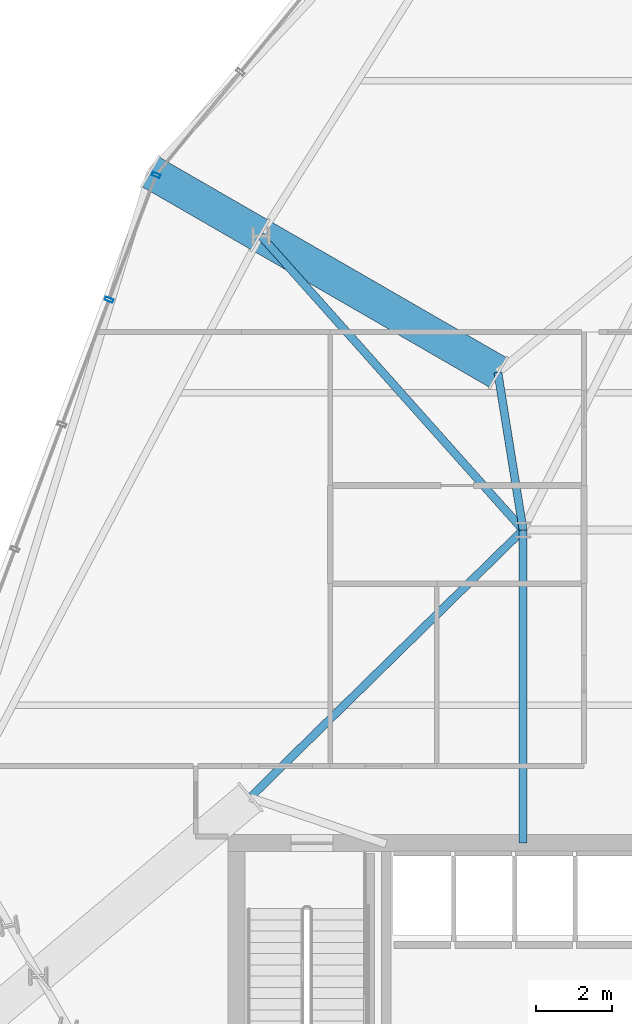
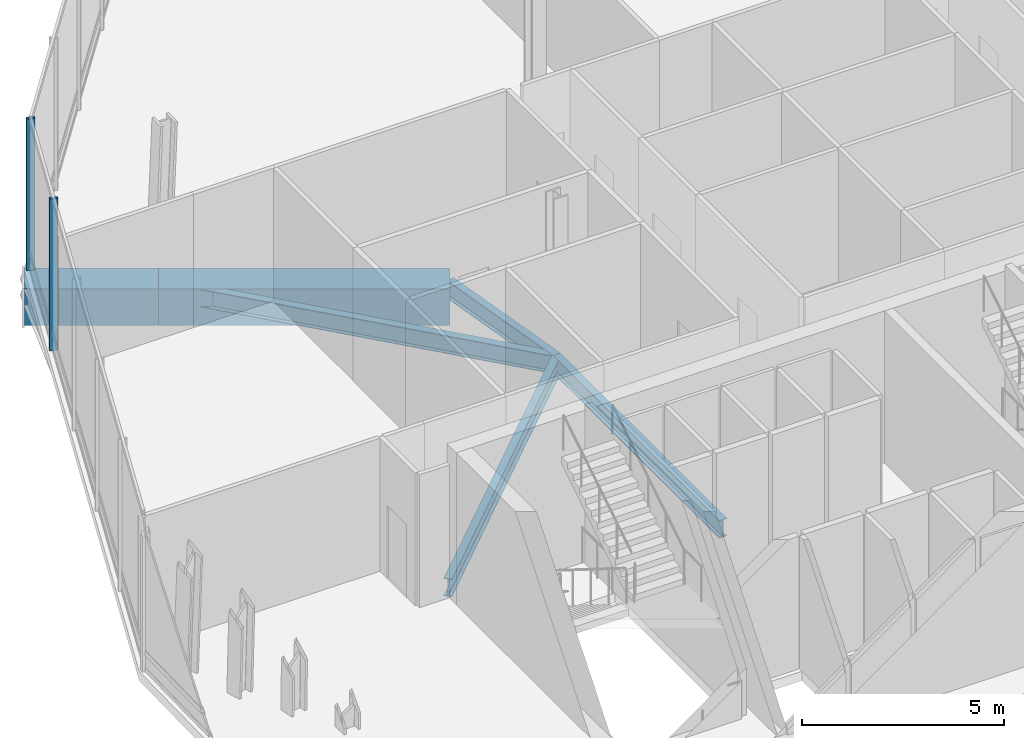
# One storey, part 7 of 26: 6 beams, 2 members, 1 element without a shape of its own.
"""IFC4 building model written with IfcOpenShell, lengths in metres."""

from ifc_helpers import new_model, si_unit, direction, frame, origin, origin_2d, place, context, subcontext, project, spatial, hollow_rectangle, i_section, extrude, material, layer, layer_set, material_profile, profile_set, type_object, element, aggregate, save


model = new_model("IFC4")

# Units and contexts
model_context = context("Model", 3, precision=1e-05, world=origin(), true_north=direction((0.0, 1.0)))
body_context = subcontext(model_context, "Body", "Model", "MODEL_VIEW")
ifc_project = project(units=[si_unit("LENGTHUNIT", "METRE"), si_unit("AREAUNIT", "SQUARE_METRE"), si_unit("VOLUMEUNIT", "CUBIC_METRE"), si_unit("PLANEANGLEUNIT", "RADIAN"), si_unit("MASSUNIT", "GRAM", prefix="KILO")], contexts=[model_context])

# Site, building, storey
site_placement = place(None, origin())
site = spatial("IfcSite", under=ifc_project, at=site_placement, CompositionType="ELEMENT")
building_placement = place(site_placement, origin())
building = spatial("IfcBuilding", under=site, at=building_placement, Name="Ndaravel Arena Tower", CompositionType="ELEMENT")
storey_placement = place(building_placement, frame((0.0, 0.0, 122.199951171875)))
storey = spatial("IfcBuildingStorey", under=building, at=storey_placement, Name="L28", CompositionType="ELEMENT", Elevation=122.199951171875)

# Beams
ifc_material_1 = material(Name="Steel S355", Category="steel")
ifc_material_profile_1 = material_profile(ifc_material_1, i_section(OverallWidth=0.210693359375, OverallDepth=0.53955078125, WebThickness=0.01171875, FlangeThickness=0.018798828125, FilletRadius=0.0126953125, at=origin_2d()), Name="UB 533x210x109")
ifc_profile_set_1 = profile_set([ifc_material_profile_1], Name="Steel S355")
beam_type_1 = type_object("IfcBeamType", Name="BM-GIRD-UB533", PredefinedType="BEAM", material=ifc_profile_set_1)
beam_1_placement = place(storey_placement, frame((27.3017578125, 30.938232421875, -0.5498046875), z_axis=(0.665425873653, -0.746463935279, 0.0), x_axis=(0.746463935279, 0.665425873653, 0.0)))
element("IfcBeam", 1, at=beam_1_placement, inside=storey, type_object=beam_type_1, Name="L28 Radial Floor Girder FG-19", PredefinedType="BEAM", context=body_context, shape_type="SweptSolid", body=[
    extrude(i_section(OverallWidth=0.210693359375, OverallDepth=0.53955078125, WebThickness=0.01171875, FlangeThickness=0.018798828125, FilletRadius=0.0126953125, at=origin_2d()), origin(), (0.0, 0.0, 1.0), 10.36669921875),
])
beam_2_placement = place(storey_placement, frame((34.199951171875, 14.97998046875, -0.5498046875), z_axis=(0.0, 1.0, 0.0), x_axis=(-1.0, 0.0, 0.0)))
element("IfcBeam", 2, at=beam_2_placement, inside=storey, type_object=beam_type_1, Name="L28 Spine Link Girder SLG-01", PredefinedType="BEAM", context=body_context, shape_type="SweptSolid", body=[
    extrude(i_section(OverallWidth=0.210693359375, OverallDepth=0.53955078125, WebThickness=0.01171875, FlangeThickness=0.018798828125, FilletRadius=0.0126953125, at=origin_2d()), origin(), (0.0, 0.0, 1.0), 8.219970703125),
])
beam_3_placement = place(storey_placement, frame((27.028076171875, 16.16943359375, -0.5498046875), z_axis=(0.714109294942, 0.700034224076, 0.0), x_axis=(-0.700034224076, 0.714109294942, 0.0)))
element("IfcBeam", 3, at=beam_3_placement, inside=storey, type_object=beam_type_1, Name="L28 Star Backspan Anchor Tie SAT2-1", PredefinedType="BEAM", context=body_context, shape_type="SweptSolid", body=[
    extrude(i_section(OverallWidth=0.210693359375, OverallDepth=0.53955078125, WebThickness=0.01171875, FlangeThickness=0.018798828125, FilletRadius=0.0126953125, at=origin_2d()), origin(), (0.0, 0.0, 1.0), 10.043212890625),
])
beam_4_placement = place(storey_placement, frame((34.199951171875, 23.199951171875, -0.5498046875), z_axis=(-0.158151802814, 0.987414810131, 0.0), x_axis=(-0.987414810131, -0.158151802814, 0.0)))
element("IfcBeam", 4, at=beam_4_placement, inside=storey, type_object=beam_type_1, Name="L28 Star Backspan Anchor Tie SAT1-6", PredefinedType="BEAM", context=body_context, shape_type="SweptSolid", body=[
    extrude(i_section(OverallWidth=0.210693359375, OverallDepth=0.53955078125, WebThickness=0.01171875, FlangeThickness=0.018798828125, FilletRadius=0.0126953125, at=origin_2d()), origin(), (0.0, 0.0, 1.0), 4.191162109375),
])
ifc_material_2 = material(Name="Steel S460", Category="steel")
ifc_material_profile_2 = material_profile(ifc_material_2, hollow_rectangle(XDim=0.89990234375, YDim=1.10009765625, WallThickness=0.06494140625, at=origin_2d()), Name="BOX 1100x900x65")
ifc_profile_set_2 = profile_set([ifc_material_profile_2], Name="Steel S460")
beam_type_2 = type_object("IfcBeamType", Name="BM-STAR-BOX1100", PredefinedType="BEAM", material=ifc_profile_set_2)
beam_5_placement = place(storey_placement, frame((33.537109375, 27.33837890625, -0.829833984375), z_axis=(-0.866033125095, 0.499986626058, 0.0), x_axis=(-0.499986626058, -0.866033125095, 0.0)))
element("IfcBeam", 5, at=beam_5_placement, inside=storey, type_object=beam_type_2, Name="L28 Star Cantilever Backspan Girder SBG-6", PredefinedType="BEAM", context=body_context, shape_type="SweptSolid", body=[
    extrude(hollow_rectangle(XDim=0.89990234375, YDim=1.10009765625, WallThickness=0.06494140625, at=origin_2d()), origin(), (0.0, 0.0, 1.0), 7.199951171875),
])
beam_6_placement = place(storey_placement, frame((27.3017578125, 30.938232421875, -0.829833984375), z_axis=(-0.866032982159, 0.499986873641, 0.0), x_axis=(-0.499986873641, -0.866032982159, 0.0)))
element("IfcBeam", 6, at=beam_6_placement, inside=storey, type_object=beam_type_2, Name="L28 Star Cantilever Tip Girder SCG-6", PredefinedType="BEAM", context=body_context, shape_type="SweptSolid", body=[
    extrude(hollow_rectangle(XDim=0.89990234375, YDim=1.10009765625, WallThickness=0.06494140625, at=origin_2d()), origin(), (0.0, 0.0, 1.0), 3.330078125),
])

# Curtain wall, members
ifc_material_3 = material(Name="Aluminium", Category="aluminium")
ifc_layer = layer(ifc_material_3, 0.179931640625)
ifc_layer_set = layer_set([ifc_layer], Name="Aluminium")
curtain_wall_type = type_object("IfcCurtainWallType", Name="CW-SYS-04", PredefinedType="NOTDEFINED", material=ifc_layer_set)
curtain_wall_placement = place(storey_placement, origin())
curtain_wall = element("IfcCurtainWall", 7, at=curtain_wall_placement, inside=storey, type_object=curtain_wall_type, Name="L28 Faceted Crystal Curtain Wall CW-L28-E11", PredefinedType="NOTDEFINED")
ifc_material_4 = material(Name="Aluminium", Category="aluminium")
ifc_material_profile_3 = material_profile(ifc_material_4, hollow_rectangle(XDim=0.090087890625, YDim=0.219970703125, WallThickness=0.0048828125, at=origin_2d()), Name="CW MULLION 90x220x5")
ifc_profile_set_3 = profile_set([ifc_material_profile_3], Name="Aluminium")
member_type = type_object("IfcMemberType", Name="MEM-CW-MUL220", PredefinedType="MULLION", material=ifc_profile_set_3)
member_1_placement = place(storey_placement, frame((24.55810546875, 32.522216796875, 0.0), z_axis=(0.0, 0.0, 1.0), x_axis=(-0.352805363625, -0.935696732599, 0.0)))
member_1 = element("IfcMember", 8, at=member_1_placement, type_object=member_type, Name="CW-L28-E11 Mullion 00", PredefinedType="MULLION", context=body_context, shape_type="SweptSolid", body=[
    extrude(hollow_rectangle(XDim=0.090087890625, YDim=0.219970703125, WallThickness=0.0048828125, at=origin_2d()), origin(), (0.0, 0.0, 1.0), 4.580078125),
])
member_2_placement = place(storey_placement, frame((23.322998046875, 29.24609375, 0.0), z_axis=(0.0, 0.0, 1.0), x_axis=(-0.352805363625, -0.935696732599, 0.0)))
member_2 = element("IfcMember", 9, at=member_2_placement, type_object=member_type, Name="CW-L28-E11 Mullion 01", PredefinedType="MULLION", context=body_context, shape_type="SweptSolid", body=[
    extrude(hollow_rectangle(XDim=0.090087890625, YDim=0.219970703125, WallThickness=0.0048828125, at=origin_2d()), origin(), (0.0, 0.0, 1.0), 4.580078125),
])
aggregate(curtain_wall, [member_1, member_2])

save(model, "model.ifc")
